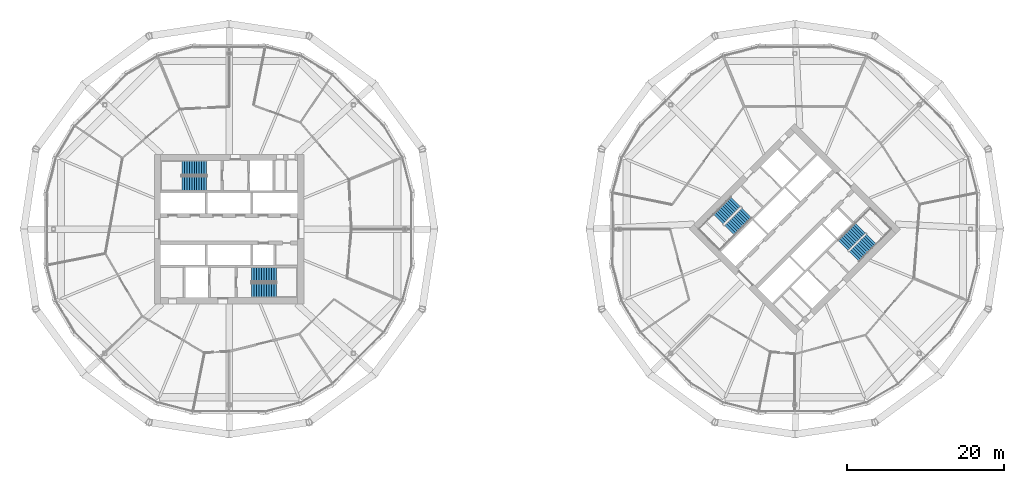
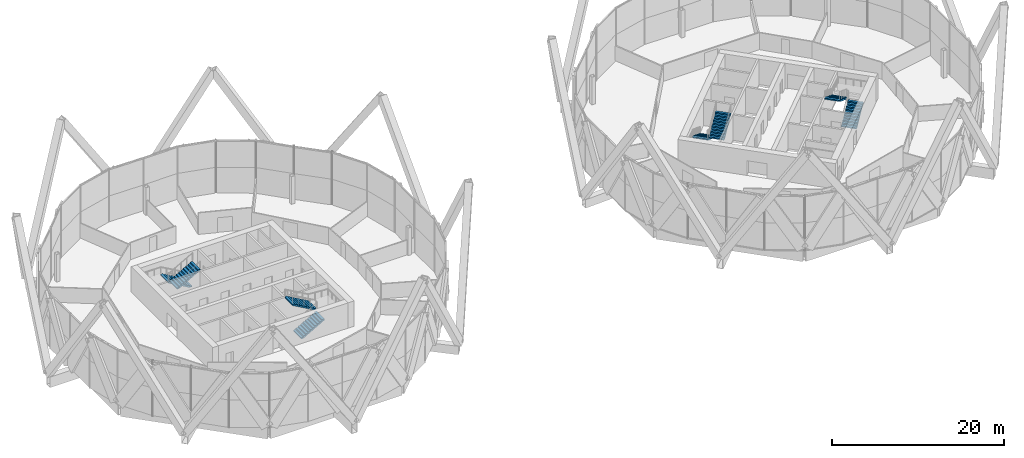
# One storey, part 26 of 28: 8 stair flights, 4 elements without a shape of their own.
"""IFC4 building model written with IfcOpenShell, lengths in metres."""

from ifc_helpers import new_model, si_unit, direction, frame, origin, place, context, subcontext, project, spatial, polyline, outline, extrude, material, type_object, element, aggregate, save


model = new_model("IFC4")

# Units and contexts
model_context = context("Model", 3, precision=1e-05, world=origin(), true_north=direction((0.0, 1.0)))
body_context = subcontext(model_context, "Body", "Model", "MODEL_VIEW")
ifc_project = project(units=[si_unit("LENGTHUNIT", "METRE"), si_unit("AREAUNIT", "SQUARE_METRE"), si_unit("VOLUMEUNIT", "CUBIC_METRE"), si_unit("PLANEANGLEUNIT", "RADIAN"), si_unit("MASSUNIT", "GRAM", prefix="KILO")], contexts=[model_context])

# Site, building, storey
site_placement = place(None, origin())
site = spatial("IfcSite", under=ifc_project, at=site_placement, CompositionType="ELEMENT")
building_placement = place(site_placement, origin())
building = spatial("IfcBuilding", under=site, at=building_placement, Name="Ogive Gate Towers", CompositionType="ELEMENT")
storey_placement = place(building_placement, frame((0.0, 0.0, 115.199951171875)))
storey = spatial("IfcBuildingStorey", under=building, at=storey_placement, Name="L27", CompositionType="ELEMENT", Elevation=115.199951171875)

# Stair, stair flights
ifc_material = material(Name="Concrete C40/50", Category="concrete")
stair_type = type_object("IfcStairType", Name="Escape stair 1840 wide", PredefinedType="HALF_TURN_STAIR", material=ifc_material)
stair_1_placement = place(storey_placement, origin())
stair_1 = element("IfcStair", 1, at=stair_1_placement, inside=storey, type_object=stair_type, Name="L27 Escape stair 1", PredefinedType="HALF_TURN_STAIR")
stair_flight_type = type_object("IfcStairFlightType", Name="Stair flight 1840 wide", PredefinedType="STRAIGHT", material=ifc_material)
stair_flight_1_placement = place(storey_placement, frame((-38.864990234375, 7.780029296875, 0.0), z_axis=(0.0, 0.0, 1.0), x_axis=(-1.0, 0.0, 0.0)))
stair_flight_1 = element("IfcStairFlight", 2, at=stair_flight_1_placement, type_object=stair_flight_type, Name="ST1 flight 1", NumberOfRisers=11, NumberOfTreads=10, PredefinedType="STRAIGHT", RiserHeight=0.177272727, TreadLength=0.313636364, context=body_context, shape_type="SweptSolid", body=[
    extrude(outline(polyline([(0.0, 0.0), (0.0, 0.17724609375), (0.313720703125, 0.17724609375), (0.313720703125, 0.3544921875), (0.627197265625, 0.3544921875), (0.627197265625, 0.53173828125), (0.94091796875, 0.53173828125), (0.94091796875, 0.708984375), (1.254638671875, 0.708984375), (1.254638671875, 0.886474609375), (1.568115234375, 0.886474609375), (1.568115234375, 1.063720703125), (1.8818359375, 1.063720703125), (1.8818359375, 1.240966796875), (2.195556640625, 1.240966796875), (2.195556640625, 1.418212890625), (2.509033203125, 1.418212890625), (2.509033203125, 1.595458984375), (2.82275390625, 1.595458984375), (2.82275390625, 1.772705078125), (3.136474609375, 1.772705078125), (3.136474609375, 1.949951171875), (3.136474609375, 1.6005859375), (0.3046875, 0.0), (0.0, 0.0)])), frame((0.0, 0.919921875, 0.0), z_axis=(0.0, -1.0, 0.0), x_axis=(1.0, 0.0, 0.0)), (0.0, 0.0, 1.0), 1.840087890625),
])
stair_flight_2_placement = place(storey_placement, frame((-42.00146484375, 5.794921875, 1.949951171875), z_axis=(0.0, 0.0, 1.0), x_axis=(1.0, 0.0, 0.0)))
stair_flight_2 = element("IfcStairFlight", 3, at=stair_flight_2_placement, type_object=stair_flight_type, Name="ST1 flight 2", NumberOfRisers=11, NumberOfTreads=10, PredefinedType="STRAIGHT", RiserHeight=0.177272727, TreadLength=0.313636364, context=body_context, shape_type="SweptSolid", body=[
    extrude(outline(polyline([(0.0, 0.0), (0.0, 0.17724609375), (0.313720703125, 0.17724609375), (0.313720703125, 0.3544921875), (0.627197265625, 0.3544921875), (0.627197265625, 0.53173828125), (0.94091796875, 0.53173828125), (0.94091796875, 0.708984375), (1.254638671875, 0.708984375), (1.254638671875, 0.886474609375), (1.568115234375, 0.886474609375), (1.568115234375, 1.063720703125), (1.8818359375, 1.063720703125), (1.8818359375, 1.240966796875), (2.195556640625, 1.240966796875), (2.195556640625, 1.418212890625), (2.509033203125, 1.418212890625), (2.509033203125, 1.595458984375), (2.82275390625, 1.595458984375), (2.82275390625, 1.772705078125), (3.136474609375, 1.772705078125), (3.136474609375, 1.949951171875), (3.136474609375, 1.6005859375), (0.3046875, 0.0), (0.0, 0.0)])), frame((0.0, 0.919921875, 0.0), z_axis=(0.0, -1.0, 0.0), x_axis=(1.0, 0.0, 0.0)), (0.0, 0.0, 1.0), 1.840087890625),
])
aggregate(stair_1, [stair_flight_1, stair_flight_2])

stair_2_placement = place(storey_placement, origin())
stair_2 = element("IfcStair", 4, at=stair_2_placement, inside=storey, type_object=stair_type, Name="L27 Escape stair 2", PredefinedType="HALF_TURN_STAIR")
stair_flight_3_placement = place(storey_placement, frame((-33.135009765625, -7.780029296875, 0.0), z_axis=(0.0, 0.0, 1.0), x_axis=(1.0, 0.0, 0.0)))
stair_flight_3 = element("IfcStairFlight", 5, at=stair_flight_3_placement, type_object=stair_flight_type, Name="ST2 flight 1", NumberOfRisers=11, NumberOfTreads=10, PredefinedType="STRAIGHT", RiserHeight=0.177272727, TreadLength=0.313636364, context=body_context, shape_type="SweptSolid", body=[
    extrude(outline(polyline([(0.0, 0.0), (0.0, 0.17724609375), (0.313720703125, 0.17724609375), (0.313720703125, 0.3544921875), (0.627197265625, 0.3544921875), (0.627197265625, 0.53173828125), (0.94091796875, 0.53173828125), (0.94091796875, 0.708984375), (1.254638671875, 0.708984375), (1.254638671875, 0.886474609375), (1.568115234375, 0.886474609375), (1.568115234375, 1.063720703125), (1.8818359375, 1.063720703125), (1.8818359375, 1.240966796875), (2.195556640625, 1.240966796875), (2.195556640625, 1.418212890625), (2.509033203125, 1.418212890625), (2.509033203125, 1.595458984375), (2.82275390625, 1.595458984375), (2.82275390625, 1.772705078125), (3.136474609375, 1.772705078125), (3.136474609375, 1.949951171875), (3.136474609375, 1.6005859375), (0.3046875, 0.0), (0.0, 0.0)])), frame((0.0, 0.919921875, 0.0), z_axis=(0.0, -1.0, 0.0), x_axis=(1.0, 0.0, 0.0)), (0.0, 0.0, 1.0), 1.840087890625),
])
stair_flight_4_placement = place(storey_placement, frame((-29.99853515625, -5.794921875, 1.949951171875), z_axis=(0.0, 0.0, 1.0), x_axis=(-1.0, 0.0, 0.0)))
stair_flight_4 = element("IfcStairFlight", 6, at=stair_flight_4_placement, type_object=stair_flight_type, Name="ST2 flight 2", NumberOfRisers=11, NumberOfTreads=10, PredefinedType="STRAIGHT", RiserHeight=0.177272727, TreadLength=0.313636364, context=body_context, shape_type="SweptSolid", body=[
    extrude(outline(polyline([(0.0, 0.0), (0.0, 0.17724609375), (0.313720703125, 0.17724609375), (0.313720703125, 0.3544921875), (0.627197265625, 0.3544921875), (0.627197265625, 0.53173828125), (0.94091796875, 0.53173828125), (0.94091796875, 0.708984375), (1.254638671875, 0.708984375), (1.254638671875, 0.886474609375), (1.568115234375, 0.886474609375), (1.568115234375, 1.063720703125), (1.8818359375, 1.063720703125), (1.8818359375, 1.240966796875), (2.195556640625, 1.240966796875), (2.195556640625, 1.418212890625), (2.509033203125, 1.418212890625), (2.509033203125, 1.595458984375), (2.82275390625, 1.595458984375), (2.82275390625, 1.772705078125), (3.136474609375, 1.772705078125), (3.136474609375, 1.949951171875), (3.136474609375, 1.6005859375), (0.3046875, 0.0), (0.0, 0.0)])), frame((0.0, 0.919921875, 0.0), z_axis=(0.0, -1.0, 0.0), x_axis=(1.0, 0.0, 0.0)), (0.0, 0.0, 1.0), 1.840087890625),
])
aggregate(stair_2, [stair_flight_3, stair_flight_4])

stair_3_placement = place(storey_placement, origin())
stair_3 = element("IfcStair", 7, at=stair_3_placement, inside=storey, type_object=stair_type, Name="L27 Escape stair 1", PredefinedType="HALF_TURN_STAIR")
stair_flight_5_placement = place(storey_placement, frame((28.472900390625, 3.475341796875, 0.0), z_axis=(0.0, 0.0, 1.0), x_axis=(-0.707106781187, -0.707106781187, 0.0)))
stair_flight_5 = element("IfcStairFlight", 8, at=stair_flight_5_placement, type_object=stair_flight_type, Name="ST1 flight 1", NumberOfRisers=11, NumberOfTreads=10, PredefinedType="STRAIGHT", RiserHeight=0.177272727, TreadLength=0.313636364, context=body_context, shape_type="SweptSolid", body=[
    extrude(outline(polyline([(0.0, 0.0), (0.0, 0.17724609375), (0.313720703125, 0.17724609375), (0.313720703125, 0.3544921875), (0.627197265625, 0.3544921875), (0.627197265625, 0.53173828125), (0.94091796875, 0.53173828125), (0.94091796875, 0.708984375), (1.254638671875, 0.708984375), (1.254638671875, 0.886474609375), (1.568115234375, 0.886474609375), (1.568115234375, 1.063720703125), (1.8818359375, 1.063720703125), (1.8818359375, 1.240966796875), (2.195556640625, 1.240966796875), (2.195556640625, 1.418212890625), (2.509033203125, 1.418212890625), (2.509033203125, 1.595458984375), (2.82275390625, 1.595458984375), (2.82275390625, 1.772705078125), (3.136474609375, 1.772705078125), (3.136474609375, 1.949951171875), (3.136474609375, 1.6005859375), (0.3046875, 0.0), (0.0, 0.0)])), frame((0.0, 0.919921875, 0.0), z_axis=(0.0, -1.0, 0.0), x_axis=(1.0, 0.0, 0.0)), (0.0, 0.0, 1.0), 1.840087890625),
])
stair_flight_6_placement = place(storey_placement, frame((27.65869140625, -0.14599609375, 1.949951171875), z_axis=(0.0, 0.0, 1.0), x_axis=(0.707106781187, 0.707106781187, 0.0)))
stair_flight_6 = element("IfcStairFlight", 9, at=stair_flight_6_placement, type_object=stair_flight_type, Name="ST1 flight 2", NumberOfRisers=11, NumberOfTreads=10, PredefinedType="STRAIGHT", RiserHeight=0.177272727, TreadLength=0.313636364, context=body_context, shape_type="SweptSolid", body=[
    extrude(outline(polyline([(0.0, 0.0), (0.0, 0.17724609375), (0.313720703125, 0.17724609375), (0.313720703125, 0.3544921875), (0.627197265625, 0.3544921875), (0.627197265625, 0.53173828125), (0.94091796875, 0.53173828125), (0.94091796875, 0.708984375), (1.254638671875, 0.708984375), (1.254638671875, 0.886474609375), (1.568115234375, 0.886474609375), (1.568115234375, 1.063720703125), (1.8818359375, 1.063720703125), (1.8818359375, 1.240966796875), (2.195556640625, 1.240966796875), (2.195556640625, 1.418212890625), (2.509033203125, 1.418212890625), (2.509033203125, 1.595458984375), (2.82275390625, 1.595458984375), (2.82275390625, 1.772705078125), (3.136474609375, 1.772705078125), (3.136474609375, 1.949951171875), (3.136474609375, 1.6005859375), (0.3046875, 0.0), (0.0, 0.0)])), frame((0.0, 0.919921875, 0.0), z_axis=(0.0, -1.0, 0.0), x_axis=(1.0, 0.0, 0.0)), (0.0, 0.0, 1.0), 1.840087890625),
])
aggregate(stair_3, [stair_flight_5, stair_flight_6])

stair_4_placement = place(storey_placement, origin())
stair_4 = element("IfcStair", 10, at=stair_4_placement, inside=storey, type_object=stair_type, Name="L27 Escape stair 2", PredefinedType="HALF_TURN_STAIR")
stair_flight_7_placement = place(storey_placement, frame((43.527099609375, -3.475341796875, 0.0), z_axis=(0.0, 0.0, 1.0), x_axis=(0.707106781187, 0.707106781187, 0.0)))
stair_flight_7 = element("IfcStairFlight", 11, at=stair_flight_7_placement, type_object=stair_flight_type, Name="ST2 flight 1", NumberOfRisers=11, NumberOfTreads=10, PredefinedType="STRAIGHT", RiserHeight=0.177272727, TreadLength=0.313636364, context=body_context, shape_type="SweptSolid", body=[
    extrude(outline(polyline([(0.0, 0.0), (0.0, 0.17724609375), (0.313720703125, 0.17724609375), (0.313720703125, 0.3544921875), (0.627197265625, 0.3544921875), (0.627197265625, 0.53173828125), (0.94091796875, 0.53173828125), (0.94091796875, 0.708984375), (1.254638671875, 0.708984375), (1.254638671875, 0.886474609375), (1.568115234375, 0.886474609375), (1.568115234375, 1.063720703125), (1.8818359375, 1.063720703125), (1.8818359375, 1.240966796875), (2.195556640625, 1.240966796875), (2.195556640625, 1.418212890625), (2.509033203125, 1.418212890625), (2.509033203125, 1.595458984375), (2.82275390625, 1.595458984375), (2.82275390625, 1.772705078125), (3.136474609375, 1.772705078125), (3.136474609375, 1.949951171875), (3.136474609375, 1.6005859375), (0.3046875, 0.0), (0.0, 0.0)])), frame((0.0, 0.919921875, 0.0), z_axis=(0.0, -1.0, 0.0), x_axis=(1.0, 0.0, 0.0)), (0.0, 0.0, 1.0), 1.840087890625),
])
stair_flight_8_placement = place(storey_placement, frame((44.34130859375, 0.14599609375, 1.949951171875), z_axis=(0.0, 0.0, 1.0), x_axis=(-0.707106781187, -0.707106781187, 0.0)))
stair_flight_8 = element("IfcStairFlight", 12, at=stair_flight_8_placement, type_object=stair_flight_type, Name="ST2 flight 2", NumberOfRisers=11, NumberOfTreads=10, PredefinedType="STRAIGHT", RiserHeight=0.177272727, TreadLength=0.313636364, context=body_context, shape_type="SweptSolid", body=[
    extrude(outline(polyline([(0.0, 0.0), (0.0, 0.17724609375), (0.313720703125, 0.17724609375), (0.313720703125, 0.3544921875), (0.627197265625, 0.3544921875), (0.627197265625, 0.53173828125), (0.94091796875, 0.53173828125), (0.94091796875, 0.708984375), (1.254638671875, 0.708984375), (1.254638671875, 0.886474609375), (1.568115234375, 0.886474609375), (1.568115234375, 1.063720703125), (1.8818359375, 1.063720703125), (1.8818359375, 1.240966796875), (2.195556640625, 1.240966796875), (2.195556640625, 1.418212890625), (2.509033203125, 1.418212890625), (2.509033203125, 1.595458984375), (2.82275390625, 1.595458984375), (2.82275390625, 1.772705078125), (3.136474609375, 1.772705078125), (3.136474609375, 1.949951171875), (3.136474609375, 1.6005859375), (0.3046875, 0.0), (0.0, 0.0)])), frame((0.0, 0.919921875, 0.0), z_axis=(0.0, -1.0, 0.0), x_axis=(1.0, 0.0, 0.0)), (0.0, 0.0, 1.0), 1.840087890625),
])
aggregate(stair_4, [stair_flight_7, stair_flight_8])

save(model, "model.ifc")
